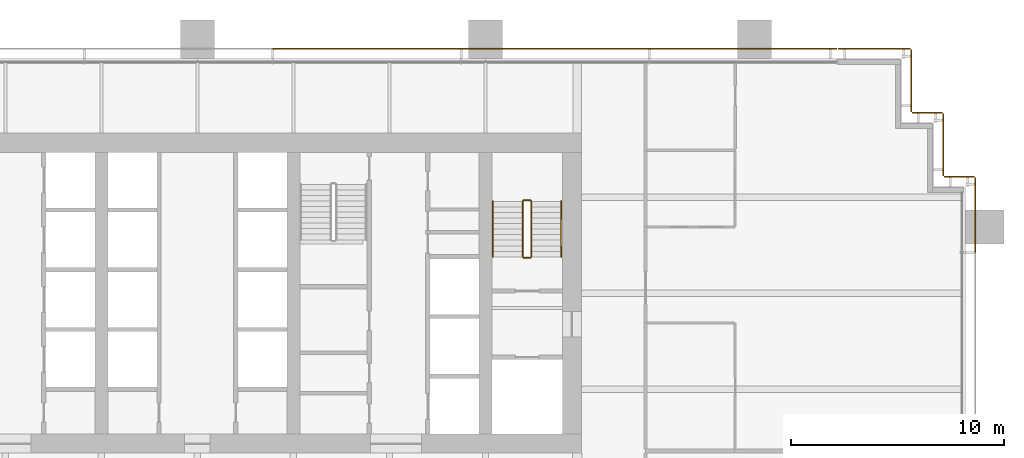
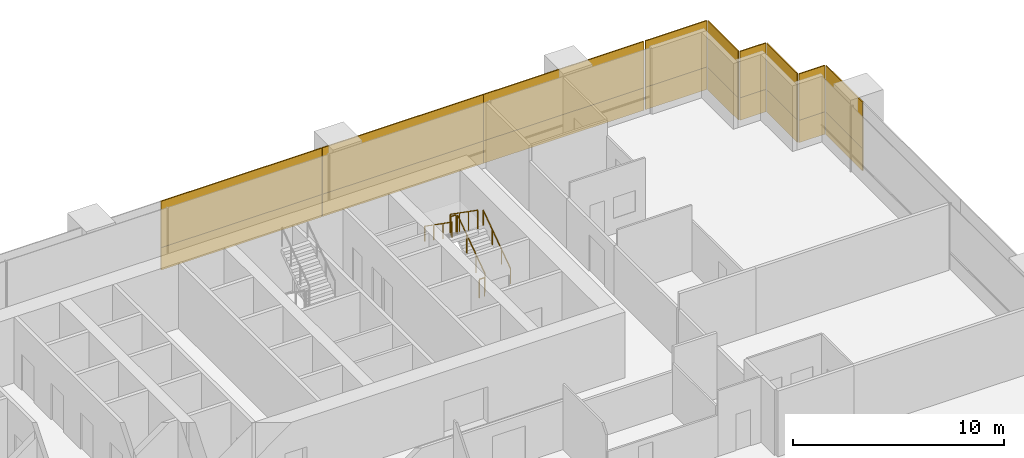
# One storey, part 19 of 19: 18 coverings, 6 railings.
"""IFC4 building model written with IfcOpenShell, lengths in metres."""

from ifc_helpers import new_model, si_unit, direction, frame, origin, origin_2d, place, context, subcontext, project, spatial, rectangle, extrude, material, layer, layer_set, type_object, element, save


model = new_model("IFC4")

# Units and contexts
model_context = context("Model", 3, precision=1e-05, world=origin(), true_north=direction((0.0, 1.0)))
body_context = subcontext(model_context, "Body", "Model", "MODEL_VIEW")
ifc_project = project(units=[si_unit("LENGTHUNIT", "METRE"), si_unit("AREAUNIT", "SQUARE_METRE"), si_unit("VOLUMEUNIT", "CUBIC_METRE"), si_unit("PLANEANGLEUNIT", "RADIAN"), si_unit("MASSUNIT", "GRAM", prefix="KILO")], contexts=[model_context])

# Site, building, storey
site_placement = place(None, origin())
site = spatial("IfcSite", under=ifc_project, at=site_placement, CompositionType="ELEMENT")
building_placement = place(site_placement, origin())
building = spatial("IfcBuilding", under=site, at=building_placement, Name="Rattan Terrace Tower", CompositionType="ELEMENT")
storey_placement = place(building_placement, frame((0.0, 0.0, 87.699951171875)))
storey = spatial("IfcBuildingStorey", under=building, at=storey_placement, Name="L19", CompositionType="ELEMENT", Elevation=87.699951171875)

# Railings
ifc_material_1 = material(Name="Powder-coated steel guard", Category="steel")
railing_type_1 = type_object("IfcRailingType", Name="Core stair guard", PredefinedType="GUARDRAIL", material=ifc_material_1)
railing_1_placement = place(storey_placement, frame((15.64990234375, 1.699951171875, 0.181884765625)))
element("IfcRailing", 1, at=railing_1_placement, inside=storey, type_object=railing_type_1, Name="L19 S2 stair guard 1", PredefinedType="GUARDRAIL", context=body_context, shape_type="SweptSolid", body=[
    extrude(rectangle(XDim=0.048095703125, YDim=0.048095703125, at=origin_2d()), frame((0.0, 0.0, 1.076171875), z_axis=(0.0, 0.819521025635, 0.573049115296), x_axis=(-1.0, 0.0, 0.0)), (0.0, 0.0, 1.0), 3.172607421875),
    extrude(rectangle(XDim=0.0419921875, YDim=0.0419921875, at=origin_2d()), origin(), (0.0, 0.0, 1.0), 1.052001953125),
    extrude(rectangle(XDim=0.0419921875, YDim=0.0419921875, at=origin_2d()), frame((0.0, 0.86669921875, 0.60595703125)), (0.0, 0.0, 1.0), 1.052001953125),
    extrude(rectangle(XDim=0.0419921875, YDim=0.0419921875, at=origin_2d()), frame((0.0, 1.7333984375, 1.212158203125)), (0.0, 0.0, 1.0), 1.052001953125),
    extrude(rectangle(XDim=0.0419921875, YDim=0.0419921875, at=origin_2d()), frame((0.0, 2.60009765625, 1.818115234375)), (0.0, 0.0, 1.0), 1.052001953125),
])
railing_2_placement = place(storey_placement, frame((15.60009765625, 4.35009765625, 2.0)))
element("IfcRailing", 2, at=railing_2_placement, inside=storey, type_object=railing_type_1, Name="L19 S2 stair guard 2", PredefinedType="GUARDRAIL", context=body_context, shape_type="SweptSolid", body=[
    extrude(rectangle(XDim=0.048095703125, YDim=0.048095703125, at=origin_2d()), frame((0.0, 0.0, 1.076171875), z_axis=(-1.0, 0.0, 0.0), x_axis=(0.0, -1.0, 0.0)), (0.0, 0.0, 1.0), 0.300048828125),
    extrude(rectangle(XDim=0.0419921875, YDim=0.0419921875, at=origin_2d()), origin(), (0.0, 0.0, 1.0), 1.052001953125),
    extrude(rectangle(XDim=0.0419921875, YDim=0.0419921875, at=origin_2d()), frame((-0.300048828125, 0.0, 0.0)), (0.0, 0.0, 1.0), 1.052001953125),
])
railing_3_placement = place(storey_placement, frame((15.25, 4.300048828125, 2.181884765625)))
element("IfcRailing", 3, at=railing_3_placement, inside=storey, type_object=railing_type_1, Name="L19 S2 stair guard 3", PredefinedType="GUARDRAIL", context=body_context, shape_type="SweptSolid", body=[
    extrude(rectangle(XDim=0.048095703125, YDim=0.048095703125, at=origin_2d()), frame((0.0, 0.0, 1.076171875), z_axis=(0.0, -0.819521025635, 0.573049115296), x_axis=(1.0, 0.0, 0.0)), (0.0, 0.0, 1.0), 3.172607421875),
    extrude(rectangle(XDim=0.0419921875, YDim=0.0419921875, at=origin_2d()), origin(), (0.0, 0.0, 1.0), 1.052001953125),
    extrude(rectangle(XDim=0.0419921875, YDim=0.0419921875, at=origin_2d()), frame((0.0, -0.86669921875, 0.60595703125)), (0.0, 0.0, 1.0), 1.052001953125),
    extrude(rectangle(XDim=0.0419921875, YDim=0.0419921875, at=origin_2d()), frame((0.0, -1.7333984375, 1.212158203125)), (0.0, 0.0, 1.0), 1.052001953125),
    extrude(rectangle(XDim=0.0419921875, YDim=0.0419921875, at=origin_2d()), frame((0.0, -2.60009765625, 1.818115234375)), (0.0, 0.0, 1.0), 1.052001953125),
])
railing_4_placement = place(storey_placement, frame((15.60009765625, 1.64990234375, 0.0)))
element("IfcRailing", 4, at=railing_4_placement, inside=storey, type_object=railing_type_1, Name="L19 S2 stair guard 4", PredefinedType="GUARDRAIL", context=body_context, shape_type="SweptSolid", body=[
    extrude(rectangle(XDim=0.048095703125, YDim=0.048095703125, at=origin_2d()), frame((0.0, 0.0, 1.076171875), z_axis=(-1.0, 0.0, 0.0), x_axis=(0.0, -1.0, 0.0)), (0.0, 0.0, 1.0), 0.300048828125),
    extrude(rectangle(XDim=0.0419921875, YDim=0.0419921875, at=origin_2d()), origin(), (0.0, 0.0, 1.0), 1.052001953125),
    extrude(rectangle(XDim=0.0419921875, YDim=0.0419921875, at=origin_2d()), frame((-0.300048828125, 0.0, 0.0)), (0.0, 0.0, 1.0), 1.052001953125),
])
ifc_material_2 = material(Name="Powder-coated steel handrail", Category="steel")
railing_type_2 = type_object("IfcRailingType", Name="Core stair handrail", PredefinedType="HANDRAIL", material=ifc_material_2)
railing_5_placement = place(storey_placement, frame((17.050048828125, 1.699951171875, 0.181884765625)))
element("IfcRailing", 5, at=railing_5_placement, inside=storey, type_object=railing_type_2, Name="L19 S2 stair handrail 1", PredefinedType="HANDRAIL", context=body_context, shape_type="SweptSolid", body=[
    extrude(rectangle(XDim=0.048095703125, YDim=0.048095703125, at=origin_2d()), frame((0.0, 0.0, 0.8759765625), z_axis=(0.0, 0.819521025635, 0.573049115296), x_axis=(-1.0, 0.0, 0.0)), (0.0, 0.0, 1.0), 3.172607421875),
    extrude(rectangle(XDim=0.0419921875, YDim=0.0419921875, at=origin_2d()), origin(), (0.0, 0.0, 1.0), 0.851806640625),
    extrude(rectangle(XDim=0.0419921875, YDim=0.0419921875, at=origin_2d()), frame((0.0, 0.86669921875, 0.60595703125)), (0.0, 0.0, 1.0), 0.851806640625),
    extrude(rectangle(XDim=0.0419921875, YDim=0.0419921875, at=origin_2d()), frame((0.0, 1.7333984375, 1.212158203125)), (0.0, 0.0, 1.0), 0.851806640625),
    extrude(rectangle(XDim=0.0419921875, YDim=0.0419921875, at=origin_2d()), frame((0.0, 2.60009765625, 1.818115234375)), (0.0, 0.0, 1.0), 0.851806640625),
])
railing_6_placement = place(storey_placement, frame((13.85009765625, 4.300048828125, 2.181884765625)))
element("IfcRailing", 6, at=railing_6_placement, inside=storey, type_object=railing_type_2, Name="L19 S2 stair handrail 2", PredefinedType="HANDRAIL", context=body_context, shape_type="SweptSolid", body=[
    extrude(rectangle(XDim=0.048095703125, YDim=0.048095703125, at=origin_2d()), frame((0.0, 0.0, 0.8759765625), z_axis=(0.0, -0.819521025635, 0.573049115296), x_axis=(1.0, 0.0, 0.0)), (0.0, 0.0, 1.0), 3.172607421875),
    extrude(rectangle(XDim=0.0419921875, YDim=0.0419921875, at=origin_2d()), origin(), (0.0, 0.0, 1.0), 0.851806640625),
    extrude(rectangle(XDim=0.0419921875, YDim=0.0419921875, at=origin_2d()), frame((0.0, -0.86669921875, 0.60595703125)), (0.0, 0.0, 1.0), 0.851806640625),
    extrude(rectangle(XDim=0.0419921875, YDim=0.0419921875, at=origin_2d()), frame((0.0, -1.7333984375, 1.212158203125)), (0.0, 0.0, 1.0), 0.851806640625),
    extrude(rectangle(XDim=0.0419921875, YDim=0.0419921875, at=origin_2d()), frame((0.0, -2.60009765625, 1.818115234375)), (0.0, 0.0, 1.0), 0.851806640625),
])

# Coverings
ifc_material_3 = material(Name="Solid terracotta", Category="masonry")
ifc_layer_1 = layer(ifc_material_3, 0.06005859375)
ifc_layer_set_1 = layer_set([ifc_layer_1], Name="Facade Terracotta Band Panel")
covering_type_1 = type_object("IfcCoveringType", Name="Facade Terracotta Band Panel", PredefinedType="CLADDING", material=ifc_layer_set_1)
covering_1_placement = place(storey_placement, frame((36.449951171875, 3.659912109375, -0.18994140625), z_axis=(0.0, 0.0, 1.0), x_axis=(0.0, 1.0, 0.0)))
element("IfcCovering", 7, at=covering_1_placement, inside=storey, type_object=covering_type_1, Name="OUTER SKIN panel L19-9A", PredefinedType="CLADDING", context=body_context, shape_type="SweptSolid", body=[
    extrude(rectangle(XDim=3.5, YDim=0.06005859375, at=origin_2d()), origin(), (0.0, 0.0, 1.0), 1.300048828125),
])
covering_2_placement = place(storey_placement, frame((35.699951171875, 5.449951171875, -0.18994140625), z_axis=(0.0, 0.0, 1.0), x_axis=(-1.0, 0.0, 0.0)))
element("IfcCovering", 8, at=covering_2_placement, inside=storey, type_object=covering_type_1, Name="OUTER SKIN panel L19-10A", PredefinedType="CLADDING", context=body_context, shape_type="SweptSolid", body=[
    extrude(rectangle(XDim=1.419921875, YDim=0.06005859375, at=origin_2d()), origin(), (0.0, 0.0, 1.0), 1.300048828125),
])
covering_3_placement = place(storey_placement, frame((34.949951171875, 6.949951171875, -0.18994140625), z_axis=(0.0, 0.0, 1.0), x_axis=(0.0, 1.0, 0.0)))
element("IfcCovering", 9, at=covering_3_placement, inside=storey, type_object=covering_type_1, Name="OUTER SKIN panel L19-11A", PredefinedType="CLADDING", context=body_context, shape_type="SweptSolid", body=[
    extrude(rectangle(XDim=2.919921875, YDim=0.06005859375, at=origin_2d()), origin(), (0.0, 0.0, 1.0), 1.300048828125),
])
covering_4_placement = place(storey_placement, frame((34.199951171875, 8.449951171875, -0.18994140625), z_axis=(0.0, 0.0, 1.0), x_axis=(-1.0, 0.0, 0.0)))
element("IfcCovering", 10, at=covering_4_placement, inside=storey, type_object=covering_type_1, Name="OUTER SKIN panel L19-12A", PredefinedType="CLADDING", context=body_context, shape_type="SweptSolid", body=[
    extrude(rectangle(XDim=1.419921875, YDim=0.06005859375, at=origin_2d()), origin(), (0.0, 0.0, 1.0), 1.300048828125),
])
covering_5_placement = place(storey_placement, frame((33.449951171875, 9.949951171875, -0.18994140625), z_axis=(0.0, 0.0, 1.0), x_axis=(0.0, 1.0, 0.0)))
element("IfcCovering", 11, at=covering_5_placement, inside=storey, type_object=covering_type_1, Name="OUTER SKIN panel L19-13A", PredefinedType="CLADDING", context=body_context, shape_type="SweptSolid", body=[
    extrude(rectangle(XDim=2.919921875, YDim=0.06005859375, at=origin_2d()), origin(), (0.0, 0.0, 1.0), 1.300048828125),
])
covering_6_placement = place(storey_placement, frame((31.72509765625, 11.449951171875, -0.18994140625), z_axis=(0.0, 0.0, 1.0), x_axis=(-1.0, 0.0, 0.0)))
element("IfcCovering", 12, at=covering_6_placement, inside=storey, type_object=covering_type_1, Name="OUTER SKIN panel L19-14A", PredefinedType="CLADDING", context=body_context, shape_type="SweptSolid", body=[
    extrude(rectangle(XDim=3.3701171875, YDim=0.06005859375, at=origin_2d()), origin(), (0.0, 0.0, 1.0), 1.300048828125),
])
covering_7_placement = place(storey_placement, frame((25.573486328125, 11.449951171875, -0.18994140625), z_axis=(0.0, 0.0, 1.0), x_axis=(-1.0, 0.0, 0.0)))
element("IfcCovering", 13, at=covering_7_placement, inside=storey, type_object=covering_type_1, Name="OUTER SKIN panel L19-15A", PredefinedType="CLADDING", context=body_context, shape_type="SweptSolid", body=[
    extrude(rectangle(XDim=8.77294921875, YDim=0.06005859375, at=origin_2d()), origin(), (0.0, 0.0, 1.0), 1.300048828125),
])
for number, where, z_axis, x_axis, name in (
    (14, (16.765380859375, 11.449951171875, -0.18994140625), (0.0, 0.0, 1.0), (-1.0, 0.0, 0.0), "OUTER SKIN panel L19-16A"),
    (15, (7.9423828125, 11.449951171875, -0.18994140625), (0.0, 0.0, 1.0), (-1.0, 0.0, 0.0), "OUTER SKIN panel L19-17A"),
):
    element("IfcCovering", number, at=place(storey_placement, frame(where, z_axis=z_axis, x_axis=x_axis)), inside=storey, type_object=covering_type_1, Name=name, PredefinedType="CLADDING", context=body_context, shape_type="SweptSolid", body=[
        extrude(rectangle(XDim=8.802978515625, YDim=0.06005859375, at=origin_2d()), origin(), (0.0, 0.0, 1.0), 1.300048828125),
    ])
ifc_material_4 = material(Name="Perforated terracotta", Category="masonry")
ifc_layer_2 = layer(ifc_material_4, 0.06005859375)
ifc_layer_set_2 = layer_set([ifc_layer_2], Name="Facade Terracotta Screen Panel")
covering_type_2 = type_object("IfcCoveringType", Name="Facade Terracotta Screen Panel", PredefinedType="CLADDING", material=ifc_layer_set_2)
covering_8_placement = place(storey_placement, frame((36.449951171875, 3.659912109375, 1.10986328125), z_axis=(0.0, 0.0, 1.0), x_axis=(0.0, 1.0, 0.0)))
element("IfcCovering", 16, at=covering_8_placement, inside=storey, type_object=covering_type_2, Name="OUTER SKIN panel L19-9B", PredefinedType="CLADDING", context=body_context, shape_type="SweptSolid", body=[
    extrude(rectangle(XDim=3.5, YDim=0.06005859375, at=origin_2d()), origin(), (0.0, 0.0, 1.0), 2.679931640625),
])
covering_9_placement = place(storey_placement, frame((35.699951171875, 5.449951171875, 1.10986328125), z_axis=(0.0, 0.0, 1.0), x_axis=(-1.0, 0.0, 0.0)))
element("IfcCovering", 17, at=covering_9_placement, inside=storey, type_object=covering_type_2, Name="OUTER SKIN panel L19-10B", PredefinedType="CLADDING", context=body_context, shape_type="SweptSolid", body=[
    extrude(rectangle(XDim=1.419921875, YDim=0.06005859375, at=origin_2d()), origin(), (0.0, 0.0, 1.0), 2.679931640625),
])
covering_10_placement = place(storey_placement, frame((34.949951171875, 6.949951171875, 1.10986328125), z_axis=(0.0, 0.0, 1.0), x_axis=(0.0, 1.0, 0.0)))
element("IfcCovering", 18, at=covering_10_placement, inside=storey, type_object=covering_type_2, Name="OUTER SKIN panel L19-11B", PredefinedType="CLADDING", context=body_context, shape_type="SweptSolid", body=[
    extrude(rectangle(XDim=2.919921875, YDim=0.06005859375, at=origin_2d()), origin(), (0.0, 0.0, 1.0), 2.679931640625),
])
covering_11_placement = place(storey_placement, frame((34.199951171875, 8.449951171875, 1.10986328125), z_axis=(0.0, 0.0, 1.0), x_axis=(-1.0, 0.0, 0.0)))
element("IfcCovering", 19, at=covering_11_placement, inside=storey, type_object=covering_type_2, Name="OUTER SKIN panel L19-12B", PredefinedType="CLADDING", context=body_context, shape_type="SweptSolid", body=[
    extrude(rectangle(XDim=1.419921875, YDim=0.06005859375, at=origin_2d()), origin(), (0.0, 0.0, 1.0), 2.679931640625),
])
covering_12_placement = place(storey_placement, frame((33.449951171875, 9.949951171875, 1.10986328125), z_axis=(0.0, 0.0, 1.0), x_axis=(0.0, 1.0, 0.0)))
element("IfcCovering", 20, at=covering_12_placement, inside=storey, type_object=covering_type_2, Name="OUTER SKIN panel L19-13B", PredefinedType="CLADDING", context=body_context, shape_type="SweptSolid", body=[
    extrude(rectangle(XDim=2.919921875, YDim=0.06005859375, at=origin_2d()), origin(), (0.0, 0.0, 1.0), 2.679931640625),
])
covering_13_placement = place(storey_placement, frame((31.72509765625, 11.449951171875, 1.10986328125), z_axis=(0.0, 0.0, 1.0), x_axis=(-1.0, 0.0, 0.0)))
element("IfcCovering", 21, at=covering_13_placement, inside=storey, type_object=covering_type_2, Name="OUTER SKIN panel L19-14B", PredefinedType="CLADDING", context=body_context, shape_type="SweptSolid", body=[
    extrude(rectangle(XDim=3.3701171875, YDim=0.06005859375, at=origin_2d()), origin(), (0.0, 0.0, 1.0), 2.679931640625),
])
covering_14_placement = place(storey_placement, frame((25.573486328125, 11.449951171875, 1.10986328125), z_axis=(0.0, 0.0, 1.0), x_axis=(-1.0, 0.0, 0.0)))
element("IfcCovering", 22, at=covering_14_placement, inside=storey, type_object=covering_type_2, Name="OUTER SKIN panel L19-15B", PredefinedType="CLADDING", context=body_context, shape_type="SweptSolid", body=[
    extrude(rectangle(XDim=8.77294921875, YDim=0.06005859375, at=origin_2d()), origin(), (0.0, 0.0, 1.0), 2.679931640625),
])
for number, where, z_axis, x_axis, name in (
    (23, (16.765380859375, 11.449951171875, 1.10986328125), (0.0, 0.0, 1.0), (-1.0, 0.0, 0.0), "OUTER SKIN panel L19-16B"),
    (24, (7.9423828125, 11.449951171875, 1.10986328125), (0.0, 0.0, 1.0), (-1.0, 0.0, 0.0), "OUTER SKIN panel L19-17B"),
):
    element("IfcCovering", number, at=place(storey_placement, frame(where, z_axis=z_axis, x_axis=x_axis)), inside=storey, type_object=covering_type_2, Name=name, PredefinedType="CLADDING", context=body_context, shape_type="SweptSolid", body=[
        extrude(rectangle(XDim=8.802978515625, YDim=0.06005859375, at=origin_2d()), origin(), (0.0, 0.0, 1.0), 2.679931640625),
    ])

save(model, "model.ifc")
